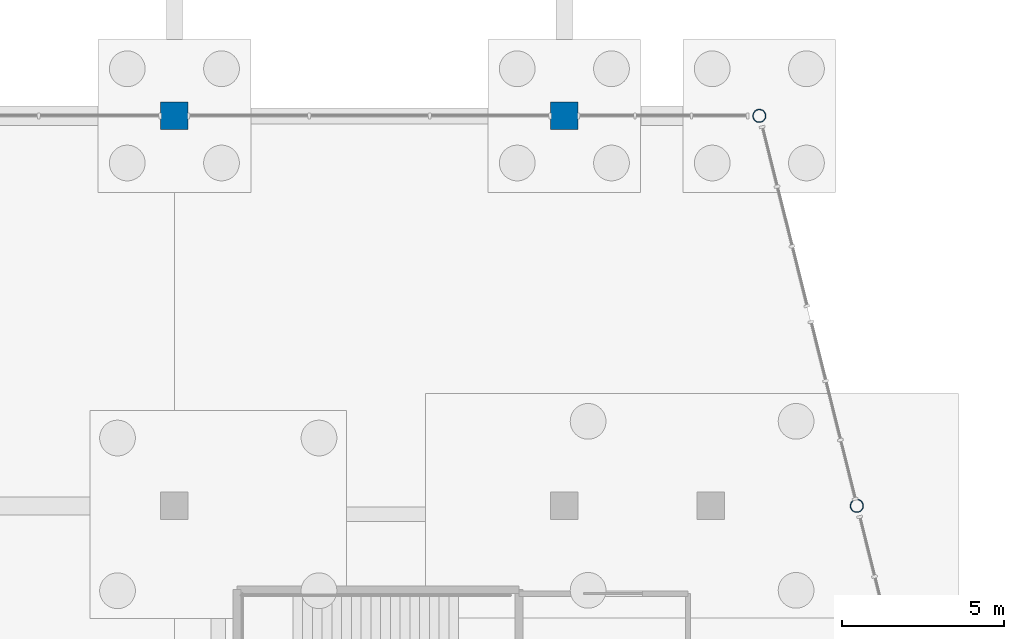
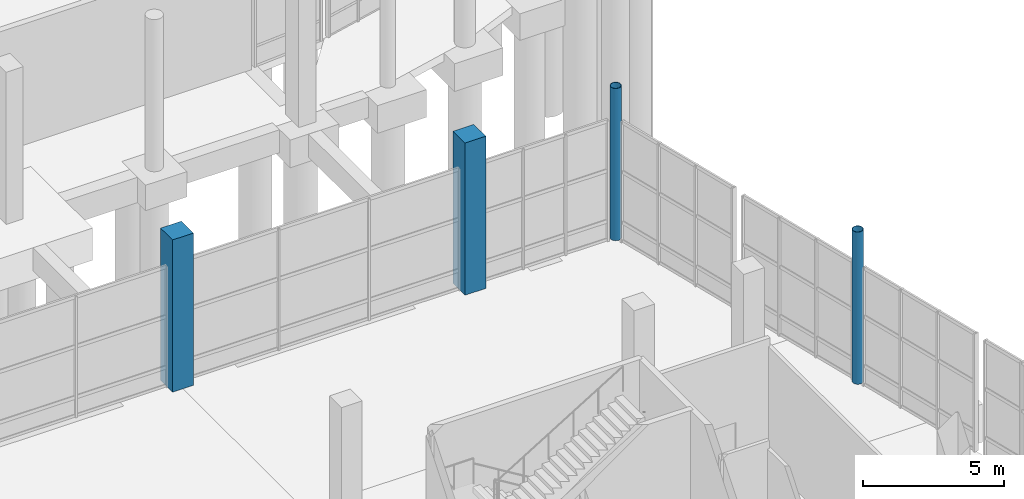
# One storey, part 36 of 117: 4 columns.
"""IFC4 building model written with IfcOpenShell, lengths in metres."""

from ifc_helpers import new_model, si_unit, direction, frame, origin, origin_2d, place, context, subcontext, project, spatial, rectangle, hollow_circle, extrude, material, material_profile, profile_set, type_object, element, save


model = new_model("IFC4")

# Units and contexts
model_context = context("Model", 3, precision=1e-05, world=origin(), true_north=direction((0.0, 1.0)))
body_context = subcontext(model_context, "Body", "Model", "MODEL_VIEW")
ifc_project = project(units=[si_unit("LENGTHUNIT", "METRE"), si_unit("AREAUNIT", "SQUARE_METRE"), si_unit("VOLUMEUNIT", "CUBIC_METRE"), si_unit("PLANEANGLEUNIT", "RADIAN"), si_unit("MASSUNIT", "GRAM", prefix="KILO")], contexts=[model_context])

# Site, building, storey
site_placement = place(None, origin())
site = spatial("IfcSite", under=ifc_project, at=site_placement, CompositionType="ELEMENT")
building_placement = place(site_placement, origin())
building = spatial("IfcBuilding", under=site, at=building_placement, Name="Kamomehara Wholesale Market", CompositionType="ELEMENT")
storey_placement = place(building_placement, origin())
storey = spatial("IfcBuildingStorey", under=building, at=storey_placement, Name="L00", CompositionType="ELEMENT", Elevation=0.0)

# Columns
ifc_material_1 = material(Name="Precast concrete Fc45 (C40/50)", Category="concrete")
ifc_material_profile_1 = material_profile(ifc_material_1, rectangle(XDim=0.85009765625, YDim=0.85009765625, at=origin_2d()), Name="PC-COL-850x850")
ifc_profile_set_1 = profile_set([ifc_material_profile_1], Name="Precast concrete Fc45 (C40/50)")
column_type_1 = type_object("IfcColumnType", Name="COL-PC850-EXT", PredefinedType="COLUMN", material=ifc_profile_set_1)
for number, where, z_axis, x_axis, name in (
    (1, (168.0, 96.0, 0.0), (0.0, 0.0, 1.0), (1.0, 0.0, 0.0), "Column C-02E L00"),
    (2, (180.0, 96.0, 0.0), (0.0, 0.0, 1.0), (1.0, 0.0, 0.0), "Column C-02E L00"),
):
    element("IfcColumn", number, at=place(storey_placement, frame(where, z_axis=z_axis, x_axis=x_axis)), inside=storey, type_object=column_type_1, Name=name, PredefinedType="COLUMN", context=body_context, shape_type="SweptSolid", body=[
        extrude(rectangle(XDim=0.85009765625, YDim=0.85009765625, at=origin_2d()), origin(), (0.0, 0.0, 1.0), 6.60009765625),
    ])
ifc_material_2 = material(Name="Steel SN490B", Category="steel")
ifc_material_profile_2 = material_profile(ifc_material_2, hollow_circle(Radius=0.203125, WallThickness=0.01611328125, at=origin_2d()), Name="CHS-406.4x16.0")
ifc_profile_set_2 = profile_set([ifc_material_profile_2], Name="Steel SN490B")
column_type_2 = type_object("IfcColumnType", Name="COL-ST-CHS406", PredefinedType="COLUMN", material=ifc_profile_set_2)
column_1_placement = place(storey_placement, frame((189.0, 84.0, 0.0), z_axis=(0.0, 0.0, 1.0), x_axis=(1.0, 0.0, 0.0)))
element("IfcColumn", 3, at=column_1_placement, inside=storey, type_object=column_type_2, Name="Column CS-08 L00", PredefinedType="COLUMN", context=body_context, shape_type="SweptSolid", body=[
    extrude(hollow_circle(Radius=0.203125, WallThickness=0.01611328125, at=origin_2d()), origin(), (0.0, 0.0, 1.0), 6.60009765625),
])
ifc_material_3 = material(Name="Steel SN490B", Category="steel")
ifc_material_profile_3 = material_profile(ifc_material_3, hollow_circle(Radius=0.203125, WallThickness=0.01611328125, at=origin_2d()), Name="CHS-406.4x16.0")
ifc_profile_set_3 = profile_set([ifc_material_profile_3], Name="Steel SN490B")
column_type_3 = type_object("IfcColumnType", Name="COL-ST-CHS406-EXT", PredefinedType="COLUMN", material=ifc_profile_set_3)
column_2_placement = place(storey_placement, frame((186.0, 96.0, 0.0), z_axis=(0.0, 0.0, 1.0), x_axis=(1.0, 0.0, 0.0)))
element("IfcColumn", 4, at=column_2_placement, inside=storey, type_object=column_type_3, Name="Column CS-08E L00", PredefinedType="COLUMN", context=body_context, shape_type="SweptSolid", body=[
    extrude(hollow_circle(Radius=0.203125, WallThickness=0.01611328125, at=origin_2d()), origin(), (0.0, 0.0, 1.0), 6.60009765625),
])

save(model, "model.ifc")
